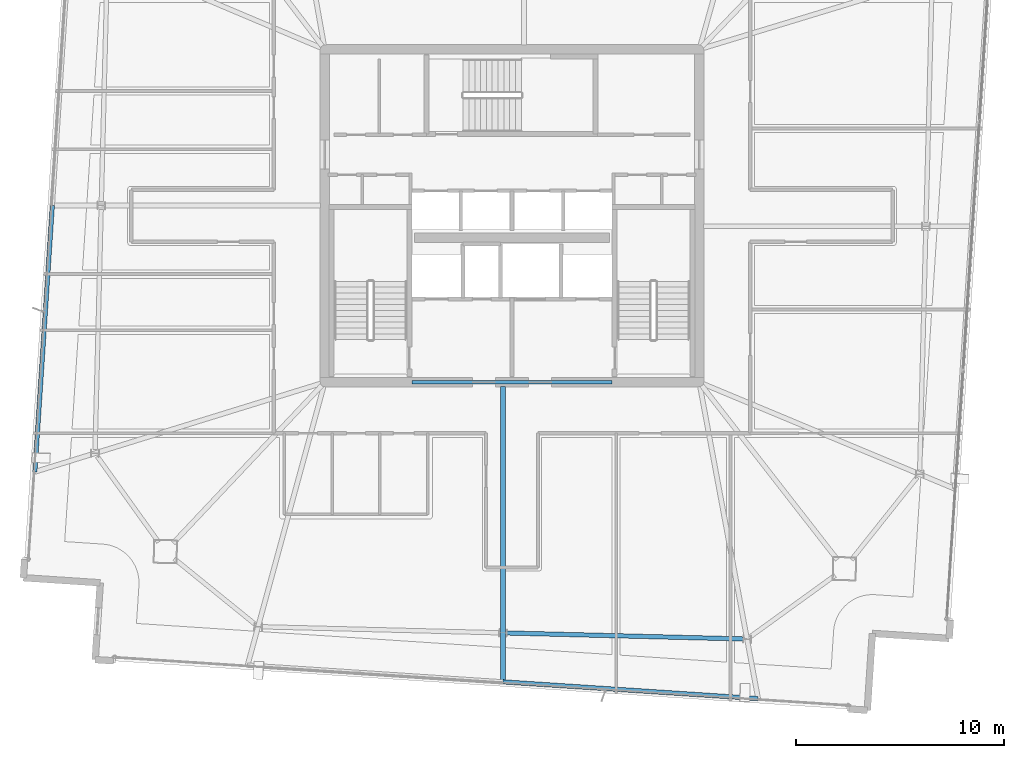
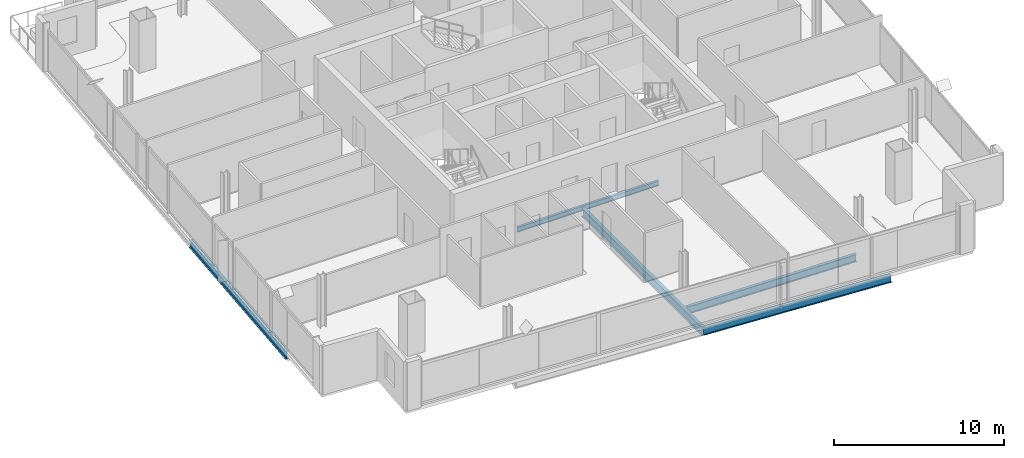
# One storey, part 5 of 24: 5 beams.
"""IFC4 building model written with IfcOpenShell, lengths in metres."""

from ifc_helpers import new_model, si_unit, direction, frame, origin, origin_2d, place, context, subcontext, project, spatial, i_section, extrude, material, material_profile, profile_set, type_object, element, save


model = new_model("IFC4")

# Units and contexts
model_context = context("Model", 3, precision=1e-05, world=origin(), true_north=direction((0.0, 1.0)))
body_context = subcontext(model_context, "Body", "Model", "MODEL_VIEW")
ifc_project = project(units=[si_unit("LENGTHUNIT", "METRE"), si_unit("AREAUNIT", "SQUARE_METRE"), si_unit("VOLUMEUNIT", "CUBIC_METRE"), si_unit("PLANEANGLEUNIT", "RADIAN"), si_unit("MASSUNIT", "GRAM", prefix="KILO")], contexts=[model_context])

# Site, building, storey
site_placement = place(None, origin())
site = spatial("IfcSite", under=ifc_project, at=site_placement, CompositionType="ELEMENT")
building_placement = place(site_placement, origin())
building = spatial("IfcBuilding", under=site, at=building_placement, Name="Haldenkirk Collegiate Tower", CompositionType="ELEMENT")
storey_placement = place(building_placement, frame((0.0, 0.0, 317.699951171875)))
storey = spatial("IfcBuildingStorey", under=building, at=storey_placement, Name="L80", CompositionType="ELEMENT", Elevation=317.699951171875)

# Beams
ifc_material = material(Name="Steel ASTM A992 Grade 50", Category="steel")
ifc_material_profile_1 = material_profile(ifc_material, i_section(OverallWidth=0.22998046875, OverallDepth=0.616943359375, WebThickness=0.01318359375, FlangeThickness=0.022216796875, at=origin_2d()), Name="W24X94")
ifc_profile_set_1 = profile_set([ifc_material_profile_1], Name="Steel ASTM A992 Grade 50")
beam_type_1 = type_object("IfcBeamType", Name="BM-GIRDER-W24X94", PredefinedType="BEAM", material=ifc_profile_set_1)
beam_1_placement = place(storey_placement, frame((35.567626953125, 3.600341796875, -0.568359375), z_axis=(0.0, 1.0, 0.0), x_axis=(-1.0, 0.0, 0.0)))
element("IfcBeam", 1, at=beam_1_placement, inside=storey, type_object=beam_type_1, Name="L80 primary floor girder 15", PredefinedType="BEAM", context=body_context, shape_type="SweptSolid", body=[
    extrude(i_section(OverallWidth=0.22998046875, OverallDepth=0.616943359375, WebThickness=0.01318359375, FlangeThickness=0.022216796875, at=origin_2d()), origin(), (0.0, 0.0, 1.0), 14.194580078125),
])
ifc_material_profile_2 = material_profile(ifc_material, i_section(OverallWidth=0.1708984375, OverallDepth=0.35595703125, WebThickness=0.007080078125, FlangeThickness=0.01171875, at=origin_2d()), Name="W14X34")
ifc_profile_set_2 = profile_set([ifc_material_profile_2], Name="Steel ASTM A992 Grade 50")
beam_type_2 = type_object("IfcBeamType", Name="BM-LINTEL-W14X34", PredefinedType="LINTEL", material=ifc_profile_set_2)
beam_2_placement = place(storey_placement, frame((31.199951171875, 18.0, -0.43798828125), z_axis=(1.0, 0.0, 0.0), x_axis=(0.0, 1.0, 0.0)))
element("IfcBeam", 2, at=beam_2_placement, inside=storey, type_object=beam_type_2, Name="L80 south core coupling lintel", PredefinedType="LINTEL", context=body_context, shape_type="SweptSolid", body=[
    extrude(i_section(OverallWidth=0.1708984375, OverallDepth=0.35595703125, WebThickness=0.007080078125, FlangeThickness=0.01171875, at=origin_2d()), origin(), (0.0, 0.0, 1.0), 9.60009765625),
])
ifc_material_profile_3 = material_profile(ifc_material, i_section(OverallWidth=0.2099609375, OverallDepth=0.537109375, WebThickness=0.010986328125, FlangeThickness=0.017333984375, at=origin_2d()), Name="W21X68")
ifc_profile_set_3 = profile_set([ifc_material_profile_3], Name="Steel ASTM A992 Grade 50")
beam_type_3 = type_object("IfcBeamType", Name="BM-SPANDREL-W21X68", PredefinedType="SPANDREL", material=ifc_profile_set_3)
beam_3_placement = place(storey_placement, frame((35.755615234375, 5.94970703125, -0.528564453125), z_axis=(0.999679850822, -0.025302092003, 0.0), x_axis=(0.025302092003, 0.999679850822, 0.0)))
element("IfcBeam", 3, at=beam_3_placement, inside=storey, type_object=beam_type_3, Name="L80 perimeter spandrel beam 15", PredefinedType="SPANDREL", context=body_context, shape_type="SweptSolid", body=[
    extrude(i_section(OverallWidth=0.2099609375, OverallDepth=0.537109375, WebThickness=0.010986328125, FlangeThickness=0.017333984375, at=origin_2d()), origin(), (0.0, 0.0, 1.0), 11.35693359375),
])
beam_4_placement = place(storey_placement, frame((13.905517578125, 26.499755859375, -0.528564453125), z_axis=(-0.065410261038, -0.99785845577, 0.0), x_axis=(0.99785845577, -0.065410261038, 0.0)))
element("IfcBeam", 4, at=beam_4_placement, inside=storey, type_object=beam_type_3, Name="L80 outer facade edge beam 3B", PredefinedType="SPANDREL", context=body_context, shape_type="SweptSolid", body=[
    extrude(i_section(OverallWidth=0.2099609375, OverallDepth=0.537109375, WebThickness=0.010986328125, FlangeThickness=0.017333984375, at=origin_2d()), origin(), (0.0, 0.0, 1.0), 12.832275390625),
])
beam_5_placement = place(storey_placement, frame((35.567626953125, 3.600341796875, -0.528564453125), z_axis=(0.997858735059, -0.065406000235, 0.0), x_axis=(0.065406000235, 0.997858735059, 0.0)))
element("IfcBeam", 5, at=beam_5_placement, inside=storey, type_object=beam_type_3, Name="L80 outer facade edge beam 4B", PredefinedType="SPANDREL", context=body_context, shape_type="SweptSolid", body=[
    extrude(i_section(OverallWidth=0.2099609375, OverallDepth=0.537109375, WebThickness=0.010986328125, FlangeThickness=0.017333984375, at=origin_2d()), origin(), (0.0, 0.0, 1.0), 12.2880859375),
])

save(model, "model.ifc")
